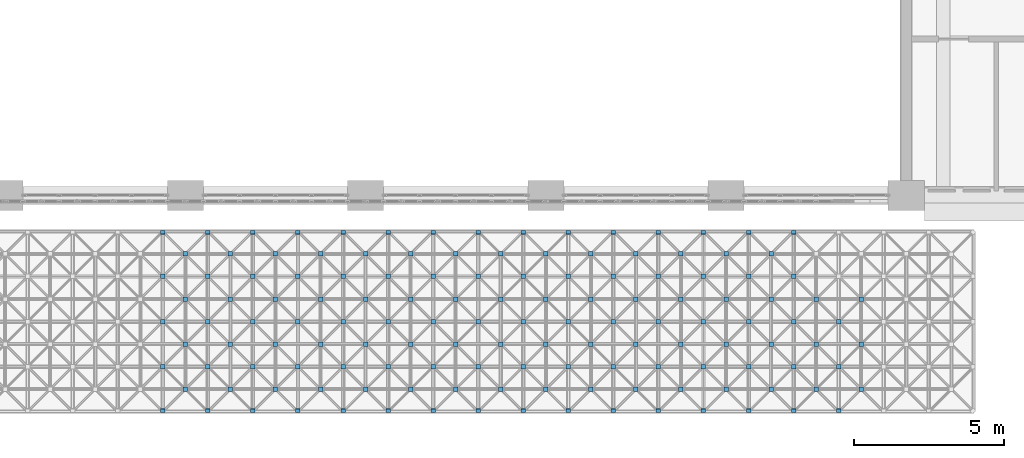
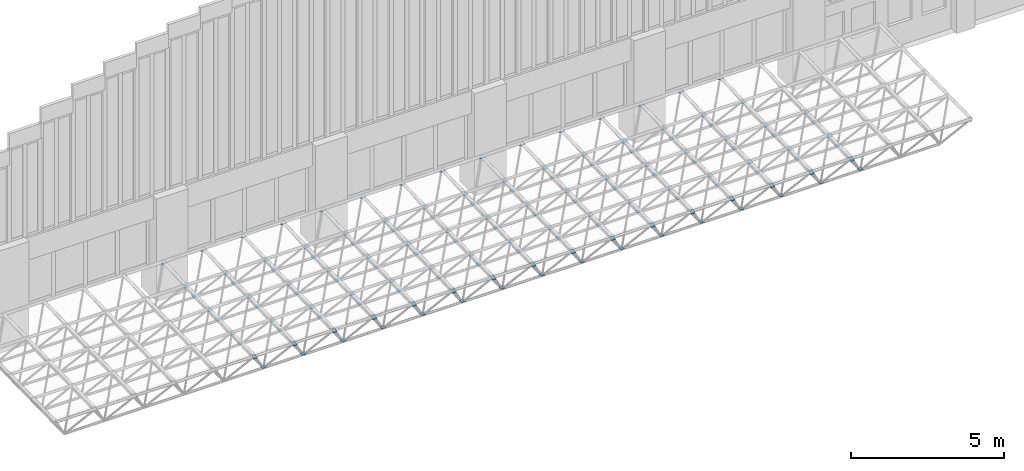
# One storey, part 79 of 103: 140 discrete accessories.
"""IFC4 building model written with IfcOpenShell, lengths in metres."""

import ifcopenshell
import ifcopenshell.guid

model = None  # the IFC model being written
_history = None  # IfcOwnerHistory: only IFC2X3 demands one
_inside = {}  # id of a spatial element -> (the spatial element, [elements in it])
_under = {}  # id of a project, library or spatial element -> (it, [spatial elements below it])
_declared = {}  # id of a project -> (the project, [libraries it declares])
_typed = {}  # id of a type object -> (the type object, [elements of that type])
_made_of = {}  # id of a material, layer set ... -> (it, [elements and type objects made of it])


def new_model(schema):
    """Start an empty IFC model of exactly this schema.

    Asked for "IFC4X3", IfcOpenShell would pick the latest addendum, in which some entities
    have other attributes; the version numbers below select the first issue.
    IFC2X3 requires an IfcOwnerHistory on every rooted entity: one is made here for all.
    """
    global model, _history
    if schema == "IFC4X3":
        model = ifcopenshell.file(schema_version=(4, 3, 0, 0))
    else:
        model = ifcopenshell.file(schema=schema)
    _inside.clear()
    _under.clear()
    _declared.clear()
    _typed.clear()
    _made_of.clear()
    _history = None
    if model.schema == "IFC2X3":
        org = make("IfcOrganization", Name="unknown")
        user = make(
            "IfcPersonAndOrganization",
            ThePerson=make("IfcPerson", FamilyName="unknown"),
            TheOrganization=org,
        )
        app = make(
            "IfcApplication",
            ApplicationDeveloper=org,
            Version="unknown",
            ApplicationFullName="unknown",
            ApplicationIdentifier="unknown",
        )
        _history = make(
            "IfcOwnerHistory",
            OwningUser=user,
            OwningApplication=app,
            ChangeAction="ADDED",
            CreationDate=0,
        )
    return model


def make(cls, **values):
    """One entity of the class cls with the attributes given. An attribute that is None is left unset."""
    return model.create_entity(
        cls, **{name: value for name, value in values.items() if value is not None}
    )


def rooted(cls, **values):
    """An entity with a GlobalId (a new one), such as an element, a storey or a relation."""
    return make(cls, GlobalId=ifcopenshell.guid.new(), OwnerHistory=_history, **values)


def si_unit(unit_type, name, prefix=None):
    """IfcSIUnit, for example si_unit("LENGTHUNIT", "METRE", prefix="MILLI")."""
    return make("IfcSIUnit", UnitType=unit_type, Prefix=prefix, Name=name)


def assignment(units):
    """IfcUnitAssignment: the units of a project."""
    return None if units is None else make("IfcUnitAssignment", Units=units)


def point(xyz):
    """IfcCartesianPoint."""
    return None if xyz is None else make("IfcCartesianPoint", Coordinates=xyz)


def direction(xyz):
    """IfcDirection."""
    return None if xyz is None else make("IfcDirection", DirectionRatios=xyz)


def frame(location, z_axis=None, x_axis=None):
    """IfcAxis2Placement3D, a coordinate frame: its origin and axes. An axis left out is left unset."""
    return make(
        "IfcAxis2Placement3D",
        Location=point(location),
        Axis=direction(z_axis),
        RefDirection=direction(x_axis),
    )


def frame_2d(location, x_axis=None):
    """IfcAxis2Placement2D, a coordinate frame in the plane: its origin and x axis."""
    return make(
        "IfcAxis2Placement2D", Location=point(location), RefDirection=direction(x_axis)
    )


def origin():
    """The frame at (0, 0, 0) with its axes left unset."""
    return frame((0.0, 0.0, 0.0))


def origin_2d():
    """The frame at (0, 0) in the plane with its x axis left unset."""
    return frame_2d((0.0, 0.0))


def place(relative_to, where):
    """IfcLocalPlacement: puts the frame where relative to a parent placement (None: the world)."""
    return make(
        "IfcLocalPlacement", PlacementRelTo=relative_to, RelativePlacement=where
    )


def context(
    kind, dimensions, precision=None, world=None, true_north=None, identifier=None
):
    """IfcGeometricRepresentationContext, for example the 3D "Model" context."""
    return make(
        "IfcGeometricRepresentationContext",
        ContextIdentifier=identifier,
        ContextType=kind,
        CoordinateSpaceDimension=dimensions,
        Precision=precision,
        WorldCoordinateSystem=world,
        TrueNorth=true_north,
    )


def subcontext(parent, identifier, kind, view, scale=None):
    """IfcGeometricRepresentationSubContext, for example "Body" below "Model"."""
    return make(
        "IfcGeometricRepresentationSubContext",
        ContextIdentifier=identifier,
        ContextType=kind,
        ParentContext=parent,
        TargetScale=scale,
        TargetView=view,
    )


def project(units=None, contexts=None):
    """IfcProject with its units and contexts."""
    return rooted(
        "IfcProject",
        Name="project",
        RepresentationContexts=contexts,
        UnitsInContext=assignment(units),
    )


def spatial(cls, under=None, at=None, **own):
    """A site, building, storey or space (cls), placed at a placement, below another one or the project."""
    s = rooted(cls, ObjectPlacement=at, **own)
    if under is not None:
        _under.setdefault(under.id(), (under, []))[1].append(s)
    return s


def profile(cls, at=None, kind="AREA", **sizes):
    """A parametric profile (cls). Its sizes go by their IFC names, for example OverallWidth=200.0."""
    return make(cls, ProfileType=kind, Position=at, **sizes)


def rectangle(**sizes):
    """IfcRectangleProfileDef."""
    return profile("IfcRectangleProfileDef", **sizes)


def extrude(swept, where, along, depth):
    """IfcExtrudedAreaSolid: the profile swept, set in the frame where, extruded along a direction by depth."""
    return make(
        "IfcExtrudedAreaSolid",
        SweptArea=swept,
        Position=where,
        ExtrudedDirection=direction(along),
        Depth=depth,
    )


def shape(context_of_items, identifier, shape_type, items):
    """IfcShapeRepresentation: the items that make up one representation, for example the "Body"."""
    return make(
        "IfcShapeRepresentation",
        ContextOfItems=context_of_items,
        RepresentationIdentifier=identifier,
        RepresentationType=shape_type,
        Items=items,
    )


def material(Name=None, Category=None):
    """IfcMaterial."""
    return make("IfcMaterial", Name=Name, Category=Category)


def material_profile(
    of_material, cross_section, Name=None, Category=None, Priority=None
):
    """IfcMaterialProfile: a cross section and its material."""
    return make(
        "IfcMaterialProfile",
        Name=Name,
        Material=of_material,
        Profile=cross_section,
        Priority=Priority,
        Category=Category,
    )


def profile_set(profiles, Name=None, composite=None):
    """IfcMaterialProfileSet."""
    return make(
        "IfcMaterialProfileSet",
        Name=Name,
        MaterialProfiles=profiles,
        CompositeProfile=composite,
    )


def made_of(thing, what):
    """Note that an element or type object is made of a material, layer set ...; save() writes the relation."""
    if what is not None:
        _made_of.setdefault(what.id(), (what, []))[1].append(thing)
    return thing


def type_object(cls, material=None, **own):
    """A type object (cls), such as IfcWallType, which elements share."""
    return made_of(rooted(cls, **own), material)


def element(
    cls,
    number,
    at=None,
    inside=None,
    cuts=None,
    type_object=None,
    material=None,
    context=None,
    identifier="Body",
    shape_type=None,
    held_by="IfcProductDefinitionShape",
    body=None,
    shapes=None,
    **own,
):
    """One element of the class cls, such as IfcWall. Its Tag is "e" and its number.

    at: its placement. inside: the storey or other place that contains it. cuts: it is an
    opening in that element (IfcRelVoidsElement). A single representation is given by context,
    identifier, shape_type and body (its items); several are given by shapes. held_by: the class
    of the entity that holds the representations. save() writes the other relations.
    """
    e = rooted(cls, Tag="e%d" % number, ObjectPlacement=at, **own)
    if body is not None:
        shapes = [shape(context, identifier, shape_type, body)]
    if shapes is not None:
        e.Representation = make(held_by, Representations=shapes)
    if inside is not None:
        _inside.setdefault(inside.id(), (inside, []))[1].append(e)
    if cuts is not None:
        rooted(
            "IfcRelVoidsElement", RelatingBuildingElement=cuts, RelatedOpeningElement=e
        )
    if type_object is not None:
        _typed.setdefault(type_object.id(), (type_object, []))[1].append(e)
    return made_of(e, material)


def aggregate(whole, parts):
    """IfcRelAggregates: a whole, such as a stair, and the parts it consists of."""
    return rooted("IfcRelAggregates", RelatingObject=whole, RelatedObjects=parts)


def save(model, path):
    """Write the relations noted so far, then the file.

    IfcRelAggregates (storeys below a building ...), IfcRelContainedInSpatialStructure (elements
    in a storey), IfcRelDefinesByType, IfcRelAssociatesMaterial and IfcRelDeclares: one each for
    every whole, place, type object, material and project.
    """
    for whole, parts in _under.values():
        aggregate(whole, parts)
    for where, things in _inside.values():
        rooted(
            "IfcRelContainedInSpatialStructure",
            RelatedElements=things,
            RelatingStructure=where,
        )
    for kind, things in _typed.values():
        rooted("IfcRelDefinesByType", RelatedObjects=things, RelatingType=kind)
    for what, things in _made_of.values():
        rooted("IfcRelAssociatesMaterial", RelatedObjects=things, RelatingMaterial=what)
    for by, libraries in _declared.values():
        rooted("IfcRelDeclares", RelatingContext=by, RelatedDefinitions=libraries)
    model.write(path)


model = new_model("IFC4")

# Units and contexts
model_context = context("Model", 3, precision=1e-05, world=origin(), true_north=direction((0.0, 1.0)))
body_context = subcontext(model_context, "Body", "Model", "MODEL_VIEW")
ifc_project = project(units=[si_unit("LENGTHUNIT", "METRE"), si_unit("AREAUNIT", "SQUARE_METRE"), si_unit("VOLUMEUNIT", "CUBIC_METRE"), si_unit("PLANEANGLEUNIT", "RADIAN"), si_unit("MASSUNIT", "GRAM", prefix="KILO")], contexts=[model_context])

# Site, building, storey
site_placement = place(None, origin())
site = spatial("IfcSite", under=ifc_project, at=site_placement, CompositionType="ELEMENT")
building_placement = place(site_placement, origin())
building = spatial("IfcBuilding", under=site, at=building_placement, Name="Laocheng Heights Fire and Rescue Headquarters", CompositionType="ELEMENT")
storey_placement = place(building_placement, frame((0.0, 0.0, 4.199951171875)))
storey = spatial("IfcBuildingStorey", under=building, at=storey_placement, Name="L01", CompositionType="ELEMENT", Elevation=4.199951171875)

# Discrete accessories
ifc_material = material(Name="Steel Q355B, dark grey painted", Category="steel")
ifc_material_profile = material_profile(ifc_material, rectangle(XDim=0.14990234375, YDim=0.14990234375, at=origin_2d()), Name="NODE PLATE 150 x 150 x 12 FOR APRON CANOPY WEB CHS 76.1x4")
ifc_profile_set = profile_set([ifc_material_profile], Name="Steel Q355B, dark grey painted")
discrete_accessory_type = type_object("IfcDiscreteAccessoryType", Name="NODE PLATE 150 x 150 x 12 FOR APRON CANOPY WEB CHS 76.1x4", PredefinedType="BRACKET", material=ifc_profile_set)
for number, where, z_axis, x_axis, name in (
    (1, (29.25, -1.2275390625, 2.031494140625), (0.0, -0.526354614616, -0.850265146688), (1.0, 0.0, 0.0), "Node plate at AC-W018 end 2, AC-W021 end 2"),
    (2, (29.25, -2.69970703125, 2.002685546875), (0.0, 0.0, -1.0), (1.0, 0.0, 0.0), "Node plate at AC-W020 end 2, AC-W023 end 2, AC-W110 end 2, AC-W113 end 2"),
):
    element("IfcDiscreteAccessory", number, at=place(storey_placement, frame(where, z_axis=z_axis, x_axis=x_axis)), inside=storey, type_object=discrete_accessory_type, Name=name, PredefinedType="BRACKET", context=body_context, shape_type="SweptSolid", body=[
        extrude(rectangle(XDim=0.14990234375, YDim=0.14990234375, at=origin_2d()), origin(), (0.0, 0.0, 1.0), 0.011962890625),
    ])
discrete_accessory_1_placement = place(storey_placement, frame((30.0, -1.9501953125, 0.8984375), z_axis=(0.0, 0.0, 1.0), x_axis=(1.0, 0.0, 0.0)))
element("IfcDiscreteAccessory", 3, at=discrete_accessory_1_placement, inside=storey, type_object=discrete_accessory_type, Name="Node plate at AC-W021 end 1, AC-W022 end 1, AC-W023 end 1, AC-W024 end 1", PredefinedType="BRACKET", context=body_context, shape_type="SweptSolid", body=[
    extrude(rectangle(XDim=0.14990234375, YDim=0.14990234375, at=origin_2d()), origin(), (0.0, 0.0, 1.0), 0.01220703125),
])
for number, where, z_axis, x_axis, name in (
    (4, (30.75, -1.2275390625, 2.031494140625), (0.0, -0.526354614616, -0.850265146688), (1.0, 0.0, 0.0), "Node plate at AC-W022 end 2, AC-W025 end 2"),
    (5, (30.75, -2.69970703125, 2.002685546875), (0.0, 0.0, -1.0), (1.0, 0.0, 0.0), "Node plate at AC-W024 end 2, AC-W027 end 2, AC-W114 end 2, AC-W117 end 2"),
):
    element("IfcDiscreteAccessory", number, at=place(storey_placement, frame(where, z_axis=z_axis, x_axis=x_axis)), inside=storey, type_object=discrete_accessory_type, Name=name, PredefinedType="BRACKET", context=body_context, shape_type="SweptSolid", body=[
        extrude(rectangle(XDim=0.14990234375, YDim=0.14990234375, at=origin_2d()), origin(), (0.0, 0.0, 1.0), 0.011962890625),
    ])
discrete_accessory_2_placement = place(storey_placement, frame((31.5, -1.9501953125, 0.8984375), z_axis=(0.0, 0.0, 1.0), x_axis=(1.0, 0.0, 0.0)))
element("IfcDiscreteAccessory", 6, at=discrete_accessory_2_placement, inside=storey, type_object=discrete_accessory_type, Name="Node plate at AC-W025 end 1, AC-W026 end 1, AC-W027 end 1, AC-W028 end 1", PredefinedType="BRACKET", context=body_context, shape_type="SweptSolid", body=[
    extrude(rectangle(XDim=0.14990234375, YDim=0.14990234375, at=origin_2d()), origin(), (0.0, 0.0, 1.0), 0.01220703125),
])
for number, where, z_axis, x_axis, name in (
    (7, (32.25, -1.2275390625, 2.031494140625), (0.0, -0.526354614616, -0.850265146688), (1.0, 0.0, 0.0), "Node plate at AC-W026 end 2, AC-W029 end 2"),
    (8, (32.25, -2.69970703125, 2.002685546875), (0.0, 0.0, -1.0), (1.0, 0.0, 0.0), "Node plate at AC-W028 end 2, AC-W031 end 2, AC-W118 end 2, AC-W121 end 2"),
):
    element("IfcDiscreteAccessory", number, at=place(storey_placement, frame(where, z_axis=z_axis, x_axis=x_axis)), inside=storey, type_object=discrete_accessory_type, Name=name, PredefinedType="BRACKET", context=body_context, shape_type="SweptSolid", body=[
        extrude(rectangle(XDim=0.14990234375, YDim=0.14990234375, at=origin_2d()), origin(), (0.0, 0.0, 1.0), 0.011962890625),
    ])
discrete_accessory_3_placement = place(storey_placement, frame((33.0, -1.9501953125, 0.8984375), z_axis=(0.0, 0.0, 1.0), x_axis=(1.0, 0.0, 0.0)))
element("IfcDiscreteAccessory", 9, at=discrete_accessory_3_placement, inside=storey, type_object=discrete_accessory_type, Name="Node plate at AC-W029 end 1, AC-W030 end 1, AC-W031 end 1, AC-W032 end 1", PredefinedType="BRACKET", context=body_context, shape_type="SweptSolid", body=[
    extrude(rectangle(XDim=0.14990234375, YDim=0.14990234375, at=origin_2d()), origin(), (0.0, 0.0, 1.0), 0.01220703125),
])
for number, where, z_axis, x_axis, name in (
    (10, (33.75, -1.2275390625, 2.031494140625), (0.0, -0.526354614616, -0.850265146688), (1.0, 0.0, 0.0), "Node plate at AC-W030 end 2, AC-W033 end 2"),
    (11, (33.75, -2.69970703125, 2.002685546875), (0.0, 0.0, -1.0), (1.0, 0.0, 0.0), "Node plate at AC-W032 end 2, AC-W035 end 2, AC-W122 end 2, AC-W125 end 2"),
):
    element("IfcDiscreteAccessory", number, at=place(storey_placement, frame(where, z_axis=z_axis, x_axis=x_axis)), inside=storey, type_object=discrete_accessory_type, Name=name, PredefinedType="BRACKET", context=body_context, shape_type="SweptSolid", body=[
        extrude(rectangle(XDim=0.14990234375, YDim=0.14990234375, at=origin_2d()), origin(), (0.0, 0.0, 1.0), 0.011962890625),
    ])
discrete_accessory_4_placement = place(storey_placement, frame((34.5, -1.9501953125, 0.8984375), z_axis=(0.0, 0.0, 1.0), x_axis=(1.0, 0.0, 0.0)))
element("IfcDiscreteAccessory", 12, at=discrete_accessory_4_placement, inside=storey, type_object=discrete_accessory_type, Name="Node plate at AC-W033 end 1, AC-W034 end 1, AC-W035 end 1, AC-W036 end 1", PredefinedType="BRACKET", context=body_context, shape_type="SweptSolid", body=[
    extrude(rectangle(XDim=0.14990234375, YDim=0.14990234375, at=origin_2d()), origin(), (0.0, 0.0, 1.0), 0.01220703125),
])
for number, where, z_axis, x_axis, name in (
    (13, (35.25, -1.2275390625, 2.031494140625), (0.0, -0.526354614616, -0.850265146688), (1.0, 0.0, 0.0), "Node plate at AC-W034 end 2, AC-W037 end 2"),
    (14, (35.25, -2.69970703125, 2.002685546875), (0.0, 0.0, -1.0), (1.0, 0.0, 0.0), "Node plate at AC-W036 end 2, AC-W039 end 2, AC-W126 end 2, AC-W129 end 2"),
):
    element("IfcDiscreteAccessory", number, at=place(storey_placement, frame(where, z_axis=z_axis, x_axis=x_axis)), inside=storey, type_object=discrete_accessory_type, Name=name, PredefinedType="BRACKET", context=body_context, shape_type="SweptSolid", body=[
        extrude(rectangle(XDim=0.14990234375, YDim=0.14990234375, at=origin_2d()), origin(), (0.0, 0.0, 1.0), 0.011962890625),
    ])
discrete_accessory_5_placement = place(storey_placement, frame((36.0, -1.9501953125, 0.8984375), z_axis=(0.0, 0.0, 1.0), x_axis=(1.0, 0.0, 0.0)))
element("IfcDiscreteAccessory", 15, at=discrete_accessory_5_placement, inside=storey, type_object=discrete_accessory_type, Name="Node plate at AC-W037 end 1, AC-W038 end 1, AC-W039 end 1, AC-W040 end 1", PredefinedType="BRACKET", context=body_context, shape_type="SweptSolid", body=[
    extrude(rectangle(XDim=0.14990234375, YDim=0.14990234375, at=origin_2d()), origin(), (0.0, 0.0, 1.0), 0.01220703125),
])
for number, where, z_axis, x_axis, name in (
    (16, (36.75, -1.2275390625, 2.031494140625), (0.0, -0.526354614616, -0.850265146688), (1.0, 0.0, 0.0), "Node plate at AC-W038 end 2, AC-W041 end 2"),
    (17, (36.75, -2.69970703125, 2.002685546875), (0.0, 0.0, -1.0), (1.0, 0.0, 0.0), "Node plate at AC-W040 end 2, AC-W043 end 2, AC-W130 end 2, AC-W133 end 2"),
):
    element("IfcDiscreteAccessory", number, at=place(storey_placement, frame(where, z_axis=z_axis, x_axis=x_axis)), inside=storey, type_object=discrete_accessory_type, Name=name, PredefinedType="BRACKET", context=body_context, shape_type="SweptSolid", body=[
        extrude(rectangle(XDim=0.14990234375, YDim=0.14990234375, at=origin_2d()), origin(), (0.0, 0.0, 1.0), 0.011962890625),
    ])
discrete_accessory_6_placement = place(storey_placement, frame((37.5, -1.9501953125, 0.8984375), z_axis=(0.0, 0.0, 1.0), x_axis=(1.0, 0.0, 0.0)))
element("IfcDiscreteAccessory", 18, at=discrete_accessory_6_placement, inside=storey, type_object=discrete_accessory_type, Name="Node plate at AC-W041 end 1, AC-W042 end 1, AC-W043 end 1, AC-W044 end 1", PredefinedType="BRACKET", context=body_context, shape_type="SweptSolid", body=[
    extrude(rectangle(XDim=0.14990234375, YDim=0.14990234375, at=origin_2d()), origin(), (0.0, 0.0, 1.0), 0.01220703125),
])
for number, where, z_axis, x_axis, name in (
    (19, (38.25, -1.2275390625, 2.031494140625), (0.0, -0.526354614616, -0.850265146688), (1.0, 0.0, 0.0), "Node plate at AC-W042 end 2, AC-W045 end 2"),
    (20, (38.25, -2.69970703125, 2.002685546875), (0.0, 0.0, -1.0), (1.0, 0.0, 0.0), "Node plate at AC-W044 end 2, AC-W047 end 2, AC-W134 end 2, AC-W137 end 2"),
):
    element("IfcDiscreteAccessory", number, at=place(storey_placement, frame(where, z_axis=z_axis, x_axis=x_axis)), inside=storey, type_object=discrete_accessory_type, Name=name, PredefinedType="BRACKET", context=body_context, shape_type="SweptSolid", body=[
        extrude(rectangle(XDim=0.14990234375, YDim=0.14990234375, at=origin_2d()), origin(), (0.0, 0.0, 1.0), 0.011962890625),
    ])
discrete_accessory_7_placement = place(storey_placement, frame((39.0, -1.9501953125, 0.8984375), z_axis=(0.0, 0.0, 1.0), x_axis=(1.0, 0.0, 0.0)))
element("IfcDiscreteAccessory", 21, at=discrete_accessory_7_placement, inside=storey, type_object=discrete_accessory_type, Name="Node plate at AC-W045 end 1, AC-W046 end 1, AC-W047 end 1, AC-W048 end 1", PredefinedType="BRACKET", context=body_context, shape_type="SweptSolid", body=[
    extrude(rectangle(XDim=0.14990234375, YDim=0.14990234375, at=origin_2d()), origin(), (0.0, 0.0, 1.0), 0.01220703125),
])
for number, where, z_axis, x_axis, name in (
    (22, (39.75, -1.2275390625, 2.031494140625), (0.0, -0.526354614616, -0.850265146688), (1.0, 0.0, 0.0), "Node plate at AC-W046 end 2, AC-W049 end 2"),
    (23, (39.75, -2.69970703125, 2.002685546875), (0.0, 0.0, -1.0), (1.0, 0.0, 0.0), "Node plate at AC-W048 end 2, AC-W051 end 2, AC-W138 end 2, AC-W141 end 2"),
):
    element("IfcDiscreteAccessory", number, at=place(storey_placement, frame(where, z_axis=z_axis, x_axis=x_axis)), inside=storey, type_object=discrete_accessory_type, Name=name, PredefinedType="BRACKET", context=body_context, shape_type="SweptSolid", body=[
        extrude(rectangle(XDim=0.14990234375, YDim=0.14990234375, at=origin_2d()), origin(), (0.0, 0.0, 1.0), 0.011962890625),
    ])
discrete_accessory_8_placement = place(storey_placement, frame((40.5, -1.9501953125, 0.8984375), z_axis=(0.0, 0.0, 1.0), x_axis=(1.0, 0.0, 0.0)))
element("IfcDiscreteAccessory", 24, at=discrete_accessory_8_placement, inside=storey, type_object=discrete_accessory_type, Name="Node plate at AC-W049 end 1, AC-W050 end 1, AC-W051 end 1, AC-W052 end 1", PredefinedType="BRACKET", context=body_context, shape_type="SweptSolid", body=[
    extrude(rectangle(XDim=0.14990234375, YDim=0.14990234375, at=origin_2d()), origin(), (0.0, 0.0, 1.0), 0.01220703125),
])
for number, where, z_axis, x_axis, name in (
    (25, (41.25, -1.2275390625, 2.031494140625), (0.0, -0.526354614616, -0.850265146688), (1.0, 0.0, 0.0), "Node plate at AC-W050 end 2, AC-W053 end 2"),
    (26, (41.25, -2.69970703125, 2.002685546875), (0.0, 0.0, -1.0), (1.0, 0.0, 0.0), "Node plate at AC-W052 end 2, AC-W055 end 2, AC-W142 end 2, AC-W145 end 2"),
):
    element("IfcDiscreteAccessory", number, at=place(storey_placement, frame(where, z_axis=z_axis, x_axis=x_axis)), inside=storey, type_object=discrete_accessory_type, Name=name, PredefinedType="BRACKET", context=body_context, shape_type="SweptSolid", body=[
        extrude(rectangle(XDim=0.14990234375, YDim=0.14990234375, at=origin_2d()), origin(), (0.0, 0.0, 1.0), 0.011962890625),
    ])
discrete_accessory_9_placement = place(storey_placement, frame((42.0, -1.9501953125, 0.8984375), z_axis=(0.0, 0.0, 1.0), x_axis=(1.0, 0.0, 0.0)))
element("IfcDiscreteAccessory", 27, at=discrete_accessory_9_placement, inside=storey, type_object=discrete_accessory_type, Name="Node plate at AC-W053 end 1, AC-W054 end 1, AC-W055 end 1, AC-W056 end 1", PredefinedType="BRACKET", context=body_context, shape_type="SweptSolid", body=[
    extrude(rectangle(XDim=0.14990234375, YDim=0.14990234375, at=origin_2d()), origin(), (0.0, 0.0, 1.0), 0.01220703125),
])
for number, where, z_axis, x_axis, name in (
    (28, (42.75, -1.2275390625, 2.031494140625), (0.0, -0.526354614616, -0.850265146688), (1.0, 0.0, 0.0), "Node plate at AC-W054 end 2, AC-W057 end 2"),
    (29, (42.75, -2.69970703125, 2.002685546875), (0.0, 0.0, -1.0), (1.0, 0.0, 0.0), "Node plate at AC-W056 end 2, AC-W059 end 2, AC-W146 end 2, AC-W149 end 2"),
):
    element("IfcDiscreteAccessory", number, at=place(storey_placement, frame(where, z_axis=z_axis, x_axis=x_axis)), inside=storey, type_object=discrete_accessory_type, Name=name, PredefinedType="BRACKET", context=body_context, shape_type="SweptSolid", body=[
        extrude(rectangle(XDim=0.14990234375, YDim=0.14990234375, at=origin_2d()), origin(), (0.0, 0.0, 1.0), 0.011962890625),
    ])
discrete_accessory_10_placement = place(storey_placement, frame((43.5, -1.9501953125, 0.8984375), z_axis=(0.0, 0.0, 1.0), x_axis=(1.0, 0.0, 0.0)))
element("IfcDiscreteAccessory", 30, at=discrete_accessory_10_placement, inside=storey, type_object=discrete_accessory_type, Name="Node plate at AC-W057 end 1, AC-W058 end 1, AC-W059 end 1, AC-W060 end 1", PredefinedType="BRACKET", context=body_context, shape_type="SweptSolid", body=[
    extrude(rectangle(XDim=0.14990234375, YDim=0.14990234375, at=origin_2d()), origin(), (0.0, 0.0, 1.0), 0.01220703125),
])
for number, where, z_axis, x_axis, name in (
    (31, (44.25, -1.2275390625, 2.031494140625), (0.0, -0.526354614616, -0.850265146688), (1.0, 0.0, 0.0), "Node plate at AC-W058 end 2, AC-W061 end 2"),
    (32, (44.25, -2.69970703125, 2.002685546875), (0.0, 0.0, -1.0), (1.0, 0.0, 0.0), "Node plate at AC-W060 end 2, AC-W063 end 2, AC-W150 end 2, AC-W153 end 2"),
):
    element("IfcDiscreteAccessory", number, at=place(storey_placement, frame(where, z_axis=z_axis, x_axis=x_axis)), inside=storey, type_object=discrete_accessory_type, Name=name, PredefinedType="BRACKET", context=body_context, shape_type="SweptSolid", body=[
        extrude(rectangle(XDim=0.14990234375, YDim=0.14990234375, at=origin_2d()), origin(), (0.0, 0.0, 1.0), 0.011962890625),
    ])
discrete_accessory_11_placement = place(storey_placement, frame((45.0, -1.9501953125, 0.8984375), z_axis=(0.0, 0.0, 1.0), x_axis=(1.0, 0.0, 0.0)))
element("IfcDiscreteAccessory", 33, at=discrete_accessory_11_placement, inside=storey, type_object=discrete_accessory_type, Name="Node plate at AC-W061 end 1, AC-W062 end 1, AC-W063 end 1, AC-W064 end 1", PredefinedType="BRACKET", context=body_context, shape_type="SweptSolid", body=[
    extrude(rectangle(XDim=0.14990234375, YDim=0.14990234375, at=origin_2d()), origin(), (0.0, 0.0, 1.0), 0.01220703125),
])
for number, where, z_axis, x_axis, name in (
    (34, (45.75, -1.2275390625, 2.031494140625), (0.0, -0.526354614616, -0.850265146688), (1.0, 0.0, 0.0), "Node plate at AC-W062 end 2, AC-W065 end 2"),
    (35, (45.75, -2.69970703125, 2.002685546875), (0.0, 0.0, -1.0), (1.0, 0.0, 0.0), "Node plate at AC-W064 end 2, AC-W067 end 2, AC-W154 end 2, AC-W157 end 2"),
):
    element("IfcDiscreteAccessory", number, at=place(storey_placement, frame(where, z_axis=z_axis, x_axis=x_axis)), inside=storey, type_object=discrete_accessory_type, Name=name, PredefinedType="BRACKET", context=body_context, shape_type="SweptSolid", body=[
        extrude(rectangle(XDim=0.14990234375, YDim=0.14990234375, at=origin_2d()), origin(), (0.0, 0.0, 1.0), 0.011962890625),
    ])
discrete_accessory_12_placement = place(storey_placement, frame((46.5, -1.9501953125, 0.8984375), z_axis=(0.0, 0.0, 1.0), x_axis=(1.0, 0.0, 0.0)))
element("IfcDiscreteAccessory", 36, at=discrete_accessory_12_placement, inside=storey, type_object=discrete_accessory_type, Name="Node plate at AC-W065 end 1, AC-W066 end 1, AC-W067 end 1, AC-W068 end 1", PredefinedType="BRACKET", context=body_context, shape_type="SweptSolid", body=[
    extrude(rectangle(XDim=0.14990234375, YDim=0.14990234375, at=origin_2d()), origin(), (0.0, 0.0, 1.0), 0.01220703125),
])
for number, where, z_axis, x_axis, name in (
    (37, (47.25, -1.2275390625, 2.031494140625), (0.0, -0.526354614616, -0.850265146688), (1.0, 0.0, 0.0), "Node plate at AC-W066 end 2, AC-W069 end 2"),
    (38, (47.25, -2.69970703125, 2.002685546875), (0.0, 0.0, -1.0), (1.0, 0.0, 0.0), "Node plate at AC-W068 end 2, AC-W071 end 2, AC-W158 end 2, AC-W161 end 2"),
):
    element("IfcDiscreteAccessory", number, at=place(storey_placement, frame(where, z_axis=z_axis, x_axis=x_axis)), inside=storey, type_object=discrete_accessory_type, Name=name, PredefinedType="BRACKET", context=body_context, shape_type="SweptSolid", body=[
        extrude(rectangle(XDim=0.14990234375, YDim=0.14990234375, at=origin_2d()), origin(), (0.0, 0.0, 1.0), 0.011962890625),
    ])
discrete_accessory_13_placement = place(storey_placement, frame((48.0, -1.9501953125, 0.8984375), z_axis=(0.0, 0.0, 1.0), x_axis=(1.0, 0.0, 0.0)))
element("IfcDiscreteAccessory", 39, at=discrete_accessory_13_placement, inside=storey, type_object=discrete_accessory_type, Name="Node plate at AC-W069 end 1, AC-W070 end 1, AC-W071 end 1, AC-W072 end 1", PredefinedType="BRACKET", context=body_context, shape_type="SweptSolid", body=[
    extrude(rectangle(XDim=0.14990234375, YDim=0.14990234375, at=origin_2d()), origin(), (0.0, 0.0, 1.0), 0.01220703125),
])
for number, where, z_axis, x_axis, name in (
    (40, (48.75, -1.2275390625, 2.031494140625), (0.0, -0.526354614616, -0.850265146688), (1.0, 0.0, 0.0), "Node plate at AC-W070 end 2, AC-W073 end 2"),
    (41, (48.75, -2.69970703125, 2.002685546875), (0.0, 0.0, -1.0), (1.0, 0.0, 0.0), "Node plate at AC-W072 end 2, AC-W075 end 2, AC-W162 end 2, AC-W165 end 2"),
):
    element("IfcDiscreteAccessory", number, at=place(storey_placement, frame(where, z_axis=z_axis, x_axis=x_axis)), inside=storey, type_object=discrete_accessory_type, Name=name, PredefinedType="BRACKET", context=body_context, shape_type="SweptSolid", body=[
        extrude(rectangle(XDim=0.14990234375, YDim=0.14990234375, at=origin_2d()), origin(), (0.0, 0.0, 1.0), 0.011962890625),
    ])
discrete_accessory_14_placement = place(storey_placement, frame((49.5, -1.9501953125, 0.8984375), z_axis=(0.0, 0.0, 1.0), x_axis=(1.0, 0.0, 0.0)))
element("IfcDiscreteAccessory", 42, at=discrete_accessory_14_placement, inside=storey, type_object=discrete_accessory_type, Name="Node plate at AC-W073 end 1, AC-W074 end 1, AC-W075 end 1, AC-W076 end 1", PredefinedType="BRACKET", context=body_context, shape_type="SweptSolid", body=[
    extrude(rectangle(XDim=0.14990234375, YDim=0.14990234375, at=origin_2d()), origin(), (0.0, 0.0, 1.0), 0.01220703125),
])
for number, where, z_axis, x_axis, name in (
    (43, (50.25, -1.2275390625, 2.031494140625), (0.0, -0.526354614616, -0.850265146688), (1.0, 0.0, 0.0), "Node plate at AC-W074 end 2, AC-W077 end 2"),
    (44, (50.25, -2.69970703125, 2.002685546875), (0.0, 0.0, -1.0), (1.0, 0.0, 0.0), "Node plate at AC-W076 end 2, AC-W079 end 2, AC-W166 end 2, AC-W169 end 2"),
    (45, (29.25, -4.19970703125, 1.97265625), (0.0, 0.0, -1.0), (1.0, 0.0, 0.0), "Node plate at AC-W112 end 2, AC-W115 end 2, AC-W202 end 2, AC-W205 end 2"),
    (46, (30.0, -3.4501953125, 0.86865234375), (0.0, 0.0, 1.0), (1.0, 0.0, 0.0), "Node plate at AC-W113 end 1, AC-W114 end 1, AC-W115 end 1, AC-W116 end 1"),
    (47, (30.75, -4.19970703125, 1.97265625), (0.0, 0.0, -1.0), (1.0, 0.0, 0.0), "Node plate at AC-W116 end 2, AC-W119 end 2, AC-W206 end 2, AC-W209 end 2"),
    (48, (31.5, -3.4501953125, 0.86865234375), (0.0, 0.0, 1.0), (1.0, 0.0, 0.0), "Node plate at AC-W117 end 1, AC-W118 end 1, AC-W119 end 1, AC-W120 end 1"),
    (49, (32.25, -4.19970703125, 1.97265625), (0.0, 0.0, -1.0), (1.0, 0.0, 0.0), "Node plate at AC-W120 end 2, AC-W123 end 2, AC-W210 end 2, AC-W213 end 2"),
    (50, (33.0, -3.4501953125, 0.86865234375), (0.0, 0.0, 1.0), (1.0, 0.0, 0.0), "Node plate at AC-W121 end 1, AC-W122 end 1, AC-W123 end 1, AC-W124 end 1"),
    (51, (33.75, -4.19970703125, 1.97265625), (0.0, 0.0, -1.0), (1.0, 0.0, 0.0), "Node plate at AC-W124 end 2, AC-W127 end 2, AC-W214 end 2, AC-W217 end 2"),
    (52, (34.5, -3.4501953125, 0.86865234375), (0.0, 0.0, 1.0), (1.0, 0.0, 0.0), "Node plate at AC-W125 end 1, AC-W126 end 1, AC-W127 end 1, AC-W128 end 1"),
    (53, (35.25, -4.19970703125, 1.97265625), (0.0, 0.0, -1.0), (1.0, 0.0, 0.0), "Node plate at AC-W128 end 2, AC-W131 end 2, AC-W218 end 2, AC-W221 end 2"),
    (54, (36.0, -3.4501953125, 0.86865234375), (0.0, 0.0, 1.0), (1.0, 0.0, 0.0), "Node plate at AC-W129 end 1, AC-W130 end 1, AC-W131 end 1, AC-W132 end 1"),
    (55, (36.75, -4.19970703125, 1.97265625), (0.0, 0.0, -1.0), (1.0, 0.0, 0.0), "Node plate at AC-W132 end 2, AC-W135 end 2, AC-W222 end 2, AC-W225 end 2"),
    (56, (37.5, -3.4501953125, 0.86865234375), (0.0, 0.0, 1.0), (1.0, 0.0, 0.0), "Node plate at AC-W133 end 1, AC-W134 end 1, AC-W135 end 1, AC-W136 end 1"),
    (57, (38.25, -4.19970703125, 1.97265625), (0.0, 0.0, -1.0), (1.0, 0.0, 0.0), "Node plate at AC-W136 end 2, AC-W139 end 2, AC-W226 end 2, AC-W229 end 2"),
    (58, (39.0, -3.4501953125, 0.86865234375), (0.0, 0.0, 1.0), (1.0, 0.0, 0.0), "Node plate at AC-W137 end 1, AC-W138 end 1, AC-W139 end 1, AC-W140 end 1"),
    (59, (39.75, -4.19970703125, 1.97265625), (0.0, 0.0, -1.0), (1.0, 0.0, 0.0), "Node plate at AC-W140 end 2, AC-W143 end 2, AC-W230 end 2, AC-W233 end 2"),
    (60, (40.5, -3.4501953125, 0.86865234375), (0.0, 0.0, 1.0), (1.0, 0.0, 0.0), "Node plate at AC-W141 end 1, AC-W142 end 1, AC-W143 end 1, AC-W144 end 1"),
    (61, (41.25, -4.19970703125, 1.97265625), (0.0, 0.0, -1.0), (1.0, 0.0, 0.0), "Node plate at AC-W144 end 2, AC-W147 end 2, AC-W234 end 2, AC-W237 end 2"),
    (62, (42.0, -3.4501953125, 0.86865234375), (0.0, 0.0, 1.0), (1.0, 0.0, 0.0), "Node plate at AC-W145 end 1, AC-W146 end 1, AC-W147 end 1, AC-W148 end 1"),
    (63, (42.75, -4.19970703125, 1.97265625), (0.0, 0.0, -1.0), (1.0, 0.0, 0.0), "Node plate at AC-W148 end 2, AC-W151 end 2, AC-W238 end 2, AC-W241 end 2"),
    (64, (43.5, -3.4501953125, 0.86865234375), (0.0, 0.0, 1.0), (1.0, 0.0, 0.0), "Node plate at AC-W149 end 1, AC-W150 end 1, AC-W151 end 1, AC-W152 end 1"),
    (65, (44.25, -4.19970703125, 1.97265625), (0.0, 0.0, -1.0), (1.0, 0.0, 0.0), "Node plate at AC-W152 end 2, AC-W155 end 2, AC-W242 end 2, AC-W245 end 2"),
    (66, (45.0, -3.4501953125, 0.86865234375), (0.0, 0.0, 1.0), (1.0, 0.0, 0.0), "Node plate at AC-W153 end 1, AC-W154 end 1, AC-W155 end 1, AC-W156 end 1"),
    (67, (45.75, -4.19970703125, 1.97265625), (0.0, 0.0, -1.0), (1.0, 0.0, 0.0), "Node plate at AC-W156 end 2, AC-W159 end 2, AC-W246 end 2, AC-W249 end 2"),
    (68, (46.5, -3.4501953125, 0.86865234375), (0.0, 0.0, 1.0), (1.0, 0.0, 0.0), "Node plate at AC-W157 end 1, AC-W158 end 1, AC-W159 end 1, AC-W160 end 1"),
    (69, (47.25, -4.19970703125, 1.97265625), (0.0, 0.0, -1.0), (1.0, 0.0, 0.0), "Node plate at AC-W160 end 2, AC-W163 end 2, AC-W250 end 2, AC-W253 end 2"),
    (70, (48.0, -3.4501953125, 0.86865234375), (0.0, 0.0, 1.0), (1.0, 0.0, 0.0), "Node plate at AC-W161 end 1, AC-W162 end 1, AC-W163 end 1, AC-W164 end 1"),
    (71, (48.75, -4.19970703125, 1.97265625), (0.0, 0.0, -1.0), (1.0, 0.0, 0.0), "Node plate at AC-W164 end 2, AC-W167 end 2, AC-W254 end 2, AC-W257 end 2"),
    (72, (49.5, -3.4501953125, 0.86865234375), (0.0, 0.0, 1.0), (1.0, 0.0, 0.0), "Node plate at AC-W165 end 1, AC-W166 end 1, AC-W167 end 1, AC-W168 end 1"),
    (73, (50.25, -4.19970703125, 1.97265625), (0.0, 0.0, -1.0), (1.0, 0.0, 0.0), "Node plate at AC-W168 end 2, AC-W171 end 2, AC-W258 end 2, AC-W261 end 2"),
    (74, (51.0, -3.4501953125, 0.86865234375), (0.0, 0.0, 1.0), (1.0, 0.0, 0.0), "Node plate at AC-W169 end 1, AC-W170 end 1, AC-W171 end 1, AC-W172 end 1"),
    (75, (51.75, -4.19970703125, 1.97265625), (0.0, 0.0, -1.0), (1.0, 0.0, 0.0), "Node plate at AC-W172 end 2, AC-W175 end 2, AC-W262 end 2, AC-W265 end 2"),
    (76, (52.5, -3.4501953125, 0.86865234375), (0.0, 0.0, 1.0), (1.0, 0.0, 0.0), "Node plate at AC-W173 end 1, AC-W174 end 1, AC-W175 end 1, AC-W176 end 1"),
    (77, (29.25, -5.69970703125, 1.942626953125), (0.0, 0.0, -1.0), (1.0, 0.0, 0.0), "Node plate at AC-W204 end 2, AC-W207 end 2, AC-W294 end 2, AC-W297 end 2"),
    (78, (30.0, -4.9501953125, 0.838623046875), (0.0, 0.0, 1.0), (1.0, 0.0, 0.0), "Node plate at AC-W205 end 1, AC-W206 end 1, AC-W207 end 1, AC-W208 end 1"),
    (79, (30.75, -5.69970703125, 1.942626953125), (0.0, 0.0, -1.0), (1.0, 0.0, 0.0), "Node plate at AC-W208 end 2, AC-W211 end 2, AC-W298 end 2, AC-W301 end 2"),
    (80, (31.5, -4.9501953125, 0.838623046875), (0.0, 0.0, 1.0), (1.0, 0.0, 0.0), "Node plate at AC-W209 end 1, AC-W210 end 1, AC-W211 end 1, AC-W212 end 1"),
    (81, (32.25, -5.69970703125, 1.942626953125), (0.0, 0.0, -1.0), (1.0, 0.0, 0.0), "Node plate at AC-W212 end 2, AC-W215 end 2, AC-W302 end 2, AC-W305 end 2"),
    (82, (33.0, -4.9501953125, 0.838623046875), (0.0, 0.0, 1.0), (1.0, 0.0, 0.0), "Node plate at AC-W213 end 1, AC-W214 end 1, AC-W215 end 1, AC-W216 end 1"),
    (83, (33.75, -5.69970703125, 1.942626953125), (0.0, 0.0, -1.0), (1.0, 0.0, 0.0), "Node plate at AC-W216 end 2, AC-W219 end 2, AC-W306 end 2, AC-W309 end 2"),
    (84, (34.5, -4.9501953125, 0.838623046875), (0.0, 0.0, 1.0), (1.0, 0.0, 0.0), "Node plate at AC-W217 end 1, AC-W218 end 1, AC-W219 end 1, AC-W220 end 1"),
    (85, (35.25, -5.69970703125, 1.942626953125), (0.0, 0.0, -1.0), (1.0, 0.0, 0.0), "Node plate at AC-W220 end 2, AC-W223 end 2, AC-W310 end 2, AC-W313 end 2"),
    (86, (36.0, -4.9501953125, 0.838623046875), (0.0, 0.0, 1.0), (1.0, 0.0, 0.0), "Node plate at AC-W221 end 1, AC-W222 end 1, AC-W223 end 1, AC-W224 end 1"),
    (87, (36.75, -5.69970703125, 1.942626953125), (0.0, 0.0, -1.0), (1.0, 0.0, 0.0), "Node plate at AC-W224 end 2, AC-W227 end 2, AC-W314 end 2, AC-W317 end 2"),
    (88, (37.5, -4.9501953125, 0.838623046875), (0.0, 0.0, 1.0), (1.0, 0.0, 0.0), "Node plate at AC-W225 end 1, AC-W226 end 1, AC-W227 end 1, AC-W228 end 1"),
    (89, (38.25, -5.69970703125, 1.942626953125), (0.0, 0.0, -1.0), (1.0, 0.0, 0.0), "Node plate at AC-W228 end 2, AC-W231 end 2, AC-W318 end 2, AC-W321 end 2"),
    (90, (39.0, -4.9501953125, 0.838623046875), (0.0, 0.0, 1.0), (1.0, 0.0, 0.0), "Node plate at AC-W229 end 1, AC-W230 end 1, AC-W231 end 1, AC-W232 end 1"),
    (91, (39.75, -5.69970703125, 1.942626953125), (0.0, 0.0, -1.0), (1.0, 0.0, 0.0), "Node plate at AC-W232 end 2, AC-W235 end 2, AC-W322 end 2, AC-W325 end 2"),
    (92, (40.5, -4.9501953125, 0.838623046875), (0.0, 0.0, 1.0), (1.0, 0.0, 0.0), "Node plate at AC-W233 end 1, AC-W234 end 1, AC-W235 end 1, AC-W236 end 1"),
    (93, (41.25, -5.69970703125, 1.942626953125), (0.0, 0.0, -1.0), (1.0, 0.0, 0.0), "Node plate at AC-W236 end 2, AC-W239 end 2, AC-W326 end 2, AC-W329 end 2"),
    (94, (42.0, -4.9501953125, 0.838623046875), (0.0, 0.0, 1.0), (1.0, 0.0, 0.0), "Node plate at AC-W237 end 1, AC-W238 end 1, AC-W239 end 1, AC-W240 end 1"),
    (95, (42.75, -5.69970703125, 1.942626953125), (0.0, 0.0, -1.0), (1.0, 0.0, 0.0), "Node plate at AC-W240 end 2, AC-W243 end 2, AC-W330 end 2, AC-W333 end 2"),
    (96, (43.5, -4.9501953125, 0.838623046875), (0.0, 0.0, 1.0), (1.0, 0.0, 0.0), "Node plate at AC-W241 end 1, AC-W242 end 1, AC-W243 end 1, AC-W244 end 1"),
    (97, (44.25, -5.69970703125, 1.942626953125), (0.0, 0.0, -1.0), (1.0, 0.0, 0.0), "Node plate at AC-W244 end 2, AC-W247 end 2, AC-W334 end 2, AC-W337 end 2"),
    (98, (45.0, -4.9501953125, 0.838623046875), (0.0, 0.0, 1.0), (1.0, 0.0, 0.0), "Node plate at AC-W245 end 1, AC-W246 end 1, AC-W247 end 1, AC-W248 end 1"),
    (99, (45.75, -5.69970703125, 1.942626953125), (0.0, 0.0, -1.0), (1.0, 0.0, 0.0), "Node plate at AC-W248 end 2, AC-W251 end 2, AC-W338 end 2, AC-W341 end 2"),
    (100, (46.5, -4.9501953125, 0.838623046875), (0.0, 0.0, 1.0), (1.0, 0.0, 0.0), "Node plate at AC-W249 end 1, AC-W250 end 1, AC-W251 end 1, AC-W252 end 1"),
    (101, (47.25, -5.69970703125, 1.942626953125), (0.0, 0.0, -1.0), (1.0, 0.0, 0.0), "Node plate at AC-W252 end 2, AC-W255 end 2, AC-W342 end 2, AC-W345 end 2"),
    (102, (48.0, -4.9501953125, 0.838623046875), (0.0, 0.0, 1.0), (1.0, 0.0, 0.0), "Node plate at AC-W253 end 1, AC-W254 end 1, AC-W255 end 1, AC-W256 end 1"),
    (103, (48.75, -5.69970703125, 1.942626953125), (0.0, 0.0, -1.0), (1.0, 0.0, 0.0), "Node plate at AC-W256 end 2, AC-W259 end 2, AC-W346 end 2, AC-W349 end 2"),
    (104, (49.5, -4.9501953125, 0.838623046875), (0.0, 0.0, 1.0), (1.0, 0.0, 0.0), "Node plate at AC-W257 end 1, AC-W258 end 1, AC-W259 end 1, AC-W260 end 1"),
    (105, (50.25, -5.69970703125, 1.942626953125), (0.0, 0.0, -1.0), (1.0, 0.0, 0.0), "Node plate at AC-W260 end 2, AC-W263 end 2, AC-W350 end 2, AC-W353 end 2"),
    (106, (51.0, -4.9501953125, 0.838623046875), (0.0, 0.0, 1.0), (1.0, 0.0, 0.0), "Node plate at AC-W261 end 1, AC-W262 end 1, AC-W263 end 1, AC-W264 end 1"),
    (107, (51.75, -5.69970703125, 1.942626953125), (0.0, 0.0, -1.0), (1.0, 0.0, 0.0), "Node plate at AC-W264 end 2, AC-W267 end 2, AC-W354 end 2, AC-W357 end 2"),
    (108, (52.5, -4.9501953125, 0.838623046875), (0.0, 0.0, 1.0), (1.0, 0.0, 0.0), "Node plate at AC-W265 end 1, AC-W266 end 1, AC-W267 end 1, AC-W268 end 1"),
    (109, (29.25, -7.172119140625, 1.911865234375), (0.0, 0.535542025358, -0.84450857845), (-1.0, 0.0, 0.0), "Node plate at AC-W296 end 2, AC-W299 end 2"),
    (110, (30.0, -6.4501953125, 0.80859375), (0.0, 0.0, 1.0), (1.0, 0.0, 0.0), "Node plate at AC-W297 end 1, AC-W298 end 1, AC-W299 end 1, AC-W300 end 1"),
    (111, (30.75, -7.172119140625, 1.911865234375), (0.0, 0.535542025358, -0.84450857845), (-1.0, 0.0, 0.0), "Node plate at AC-W300 end 2, AC-W303 end 2"),
    (112, (31.5, -6.4501953125, 0.80859375), (0.0, 0.0, 1.0), (1.0, 0.0, 0.0), "Node plate at AC-W301 end 1, AC-W302 end 1, AC-W303 end 1, AC-W304 end 1"),
    (113, (32.25, -7.172119140625, 1.911865234375), (0.0, 0.535542025358, -0.84450857845), (-1.0, 0.0, 0.0), "Node plate at AC-W304 end 2, AC-W307 end 2"),
    (114, (33.0, -6.4501953125, 0.80859375), (0.0, 0.0, 1.0), (1.0, 0.0, 0.0), "Node plate at AC-W305 end 1, AC-W306 end 1, AC-W307 end 1, AC-W308 end 1"),
    (115, (33.75, -7.172119140625, 1.911865234375), (0.0, 0.535542025358, -0.84450857845), (-1.0, 0.0, 0.0), "Node plate at AC-W308 end 2, AC-W311 end 2"),
    (116, (34.5, -6.4501953125, 0.80859375), (0.0, 0.0, 1.0), (1.0, 0.0, 0.0), "Node plate at AC-W309 end 1, AC-W310 end 1, AC-W311 end 1, AC-W312 end 1"),
    (117, (35.25, -7.172119140625, 1.911865234375), (0.0, 0.535542025358, -0.84450857845), (-1.0, 0.0, 0.0), "Node plate at AC-W312 end 2, AC-W315 end 2"),
    (118, (36.0, -6.4501953125, 0.80859375), (0.0, 0.0, 1.0), (1.0, 0.0, 0.0), "Node plate at AC-W313 end 1, AC-W314 end 1, AC-W315 end 1, AC-W316 end 1"),
    (119, (36.75, -7.172119140625, 1.911865234375), (0.0, 0.535542025358, -0.84450857845), (-1.0, 0.0, 0.0), "Node plate at AC-W316 end 2, AC-W319 end 2"),
    (120, (37.5, -6.4501953125, 0.80859375), (0.0, 0.0, 1.0), (1.0, 0.0, 0.0), "Node plate at AC-W317 end 1, AC-W318 end 1, AC-W319 end 1, AC-W320 end 1"),
    (121, (38.25, -7.172119140625, 1.911865234375), (0.0, 0.535542025358, -0.84450857845), (-1.0, 0.0, 0.0), "Node plate at AC-W320 end 2, AC-W323 end 2"),
    (122, (39.0, -6.4501953125, 0.80859375), (0.0, 0.0, 1.0), (1.0, 0.0, 0.0), "Node plate at AC-W321 end 1, AC-W322 end 1, AC-W323 end 1, AC-W324 end 1"),
    (123, (39.75, -7.172119140625, 1.911865234375), (0.0, 0.535542025358, -0.84450857845), (-1.0, 0.0, 0.0), "Node plate at AC-W324 end 2, AC-W327 end 2"),
    (124, (40.5, -6.4501953125, 0.80859375), (0.0, 0.0, 1.0), (1.0, 0.0, 0.0), "Node plate at AC-W325 end 1, AC-W326 end 1, AC-W327 end 1, AC-W328 end 1"),
    (125, (41.25, -7.172119140625, 1.911865234375), (0.0, 0.535542025358, -0.84450857845), (-1.0, 0.0, 0.0), "Node plate at AC-W328 end 2, AC-W331 end 2"),
    (126, (42.0, -6.4501953125, 0.80859375), (0.0, 0.0, 1.0), (1.0, 0.0, 0.0), "Node plate at AC-W329 end 1, AC-W330 end 1, AC-W331 end 1, AC-W332 end 1"),
    (127, (42.75, -7.172119140625, 1.911865234375), (0.0, 0.535542025358, -0.84450857845), (-1.0, 0.0, 0.0), "Node plate at AC-W332 end 2, AC-W335 end 2"),
    (128, (43.5, -6.4501953125, 0.80859375), (0.0, 0.0, 1.0), (1.0, 0.0, 0.0), "Node plate at AC-W333 end 1, AC-W334 end 1, AC-W335 end 1, AC-W336 end 1"),
    (129, (44.25, -7.172119140625, 1.911865234375), (0.0, 0.535542025358, -0.84450857845), (-1.0, 0.0, 0.0), "Node plate at AC-W336 end 2, AC-W339 end 2"),
    (130, (45.0, -6.4501953125, 0.80859375), (0.0, 0.0, 1.0), (1.0, 0.0, 0.0), "Node plate at AC-W337 end 1, AC-W338 end 1, AC-W339 end 1, AC-W340 end 1"),
    (131, (45.75, -7.172119140625, 1.911865234375), (0.0, 0.535542025358, -0.84450857845), (-1.0, 0.0, 0.0), "Node plate at AC-W340 end 2, AC-W343 end 2"),
    (132, (46.5, -6.4501953125, 0.80859375), (0.0, 0.0, 1.0), (1.0, 0.0, 0.0), "Node plate at AC-W341 end 1, AC-W342 end 1, AC-W343 end 1, AC-W344 end 1"),
    (133, (47.25, -7.172119140625, 1.911865234375), (0.0, 0.535542025358, -0.84450857845), (-1.0, 0.0, 0.0), "Node plate at AC-W344 end 2, AC-W347 end 2"),
    (134, (48.0, -6.4501953125, 0.80859375), (0.0, 0.0, 1.0), (1.0, 0.0, 0.0), "Node plate at AC-W345 end 1, AC-W346 end 1, AC-W347 end 1, AC-W348 end 1"),
    (135, (48.75, -7.172119140625, 1.911865234375), (0.0, 0.535542025358, -0.84450857845), (-1.0, 0.0, 0.0), "Node plate at AC-W348 end 2, AC-W351 end 2"),
    (136, (49.5, -6.4501953125, 0.80859375), (0.0, 0.0, 1.0), (1.0, 0.0, 0.0), "Node plate at AC-W349 end 1, AC-W350 end 1, AC-W351 end 1, AC-W352 end 1"),
    (137, (50.25, -7.172119140625, 1.911865234375), (0.0, 0.535542025358, -0.84450857845), (-1.0, 0.0, 0.0), "Node plate at AC-W352 end 2, AC-W355 end 2"),
    (138, (51.0, -6.4501953125, 0.80859375), (0.0, 0.0, 1.0), (1.0, 0.0, 0.0), "Node plate at AC-W353 end 1, AC-W354 end 1, AC-W355 end 1, AC-W356 end 1"),
    (139, (51.75, -7.172119140625, 1.911865234375), (0.0, 0.535542025358, -0.84450857845), (-1.0, 0.0, 0.0), "Node plate at AC-W356 end 2, AC-W359 end 2"),
    (140, (52.5, -6.4501953125, 0.80859375), (0.0, 0.0, 1.0), (1.0, 0.0, 0.0), "Node plate at AC-W357 end 1, AC-W358 end 1, AC-W359 end 1, AC-W360 end 1"),
):
    element("IfcDiscreteAccessory", number, at=place(storey_placement, frame(where, z_axis=z_axis, x_axis=x_axis)), inside=storey, type_object=discrete_accessory_type, Name=name, PredefinedType="BRACKET", context=body_context, shape_type="SweptSolid", body=[
        extrude(rectangle(XDim=0.14990234375, YDim=0.14990234375, at=origin_2d()), origin(), (0.0, 0.0, 1.0), 0.011962890625),
    ])

save(model, "model.ifc")
